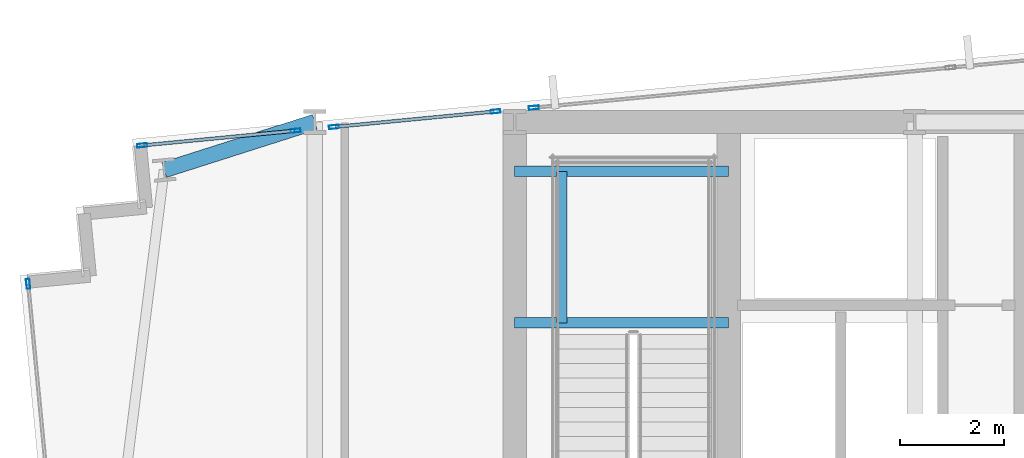
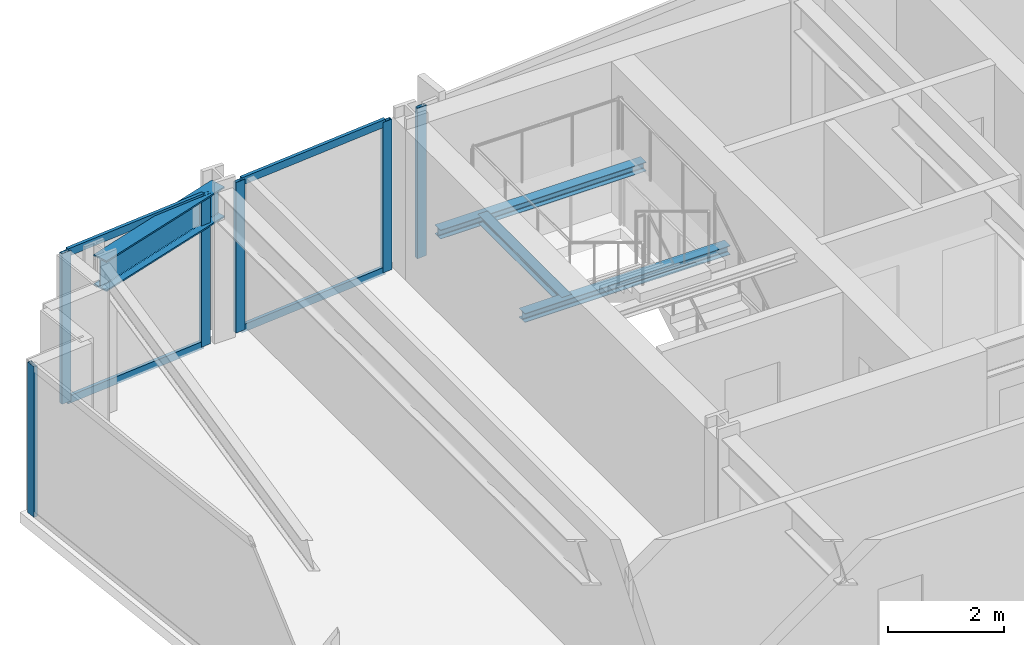
# One storey, part 17 of 32: 10 members, 4 beams, 4 elements without a shape of their own.
"""IFC4 building model written with IfcOpenShell, lengths in metres."""

from ifc_helpers import new_model, si_unit, direction, frame, origin, origin_2d, place, context, subcontext, project, spatial, hollow_rectangle, i_section, extrude, material, material_profile, profile_set, type_object, element, aggregate, save


model = new_model("IFC4")

# Units and contexts
model_context = context("Model", 3, precision=1e-05, world=origin(), true_north=direction((0.0, 1.0)))
body_context = subcontext(model_context, "Body", "Model", "MODEL_VIEW")
ifc_project = project(units=[si_unit("LENGTHUNIT", "METRE"), si_unit("AREAUNIT", "SQUARE_METRE"), si_unit("VOLUMEUNIT", "CUBIC_METRE"), si_unit("PLANEANGLEUNIT", "RADIAN"), si_unit("MASSUNIT", "GRAM", prefix="KILO")], contexts=[model_context])

# Site, building, storey
site_placement = place(None, origin())
site = spatial("IfcSite", under=ifc_project, at=site_placement, CompositionType="ELEMENT")
building_placement = place(site_placement, origin())
building = spatial("IfcBuilding", under=site, at=building_placement, Name="Yelkora Congress Tower", CompositionType="ELEMENT")
storey_placement = place(building_placement, frame((0.0, 0.0, 113.5)))
storey = spatial("IfcBuildingStorey", under=building, at=storey_placement, Name="L30", CompositionType="ELEMENT", Elevation=113.5)

# Beams
ifc_material_1 = material(Name="Steel S355J2", Category="steel")
ifc_material_profile_1 = material_profile(ifc_material_1, i_section(OverallWidth=0.300048828125, OverallDepth=0.64990234375, WebThickness=0.01611328125, FlangeThickness=0.031005859375, FilletRadius=0.027099609375, at=origin_2d()), Name="HEB 650")
ifc_profile_set_1 = profile_set([ifc_material_profile_1], Name="Steel S355J2")
beam_type_1 = type_object("IfcBeamType", Name="BM-GIRD-HEB650", PredefinedType="BEAM", material=ifc_profile_set_1)
beam_1_placement = place(storey_placement, frame((16.306884765625, 45.27734375, 2.85498046875), z_axis=(0.952727067409, 0.303827475759, 0.0), x_axis=(-0.303827475759, 0.952727067409, 0.0)))
element("IfcBeam", 1, at=beam_1_placement, inside=storey, type_object=beam_type_1, Name="L30 Primary Frame Girder N01", PredefinedType="BEAM", context=body_context, shape_type="SweptSolid", body=[
    extrude(i_section(OverallWidth=0.300048828125, OverallDepth=0.64990234375, WebThickness=0.01611328125, FlangeThickness=0.031005859375, FilletRadius=0.027099609375, at=origin_2d()), origin(), (0.0, 0.0, 1.0), 3.03662109375),
])
ifc_material_profile_2 = material_profile(ifc_material_1, i_section(OverallWidth=0.199951171875, OverallDepth=0.18994140625, WebThickness=0.006591796875, FlangeThickness=0.010009765625, FilletRadius=0.01806640625, at=origin_2d()), Name="HEA 200")
ifc_profile_set_2 = profile_set([ifc_material_profile_2], Name="Steel S355J2")
beam_type_2 = type_object("IfcBeamType", Name="BM-LAND-HEA200", PredefinedType="BEAM", material=ifc_profile_set_2)
for number, where, z_axis, x_axis, name in (
    (2, (23.0400390625, 42.340087890625, 1.384521484375), (1.0, 0.0, 0.0), (0.0, 1.0, 0.0), "ST-01 L30 Landing Header Beam 1S"),
    (3, (23.0400390625, 45.25, 1.384521484375), (1.0, 0.0, 0.0), (0.0, 1.0, 0.0), "ST-01 L30 Landing Header Beam 1N"),
):
    element("IfcBeam", number, at=place(storey_placement, frame(where, z_axis=z_axis, x_axis=x_axis)), inside=storey, type_object=beam_type_2, Name=name, PredefinedType="BEAM", context=body_context, shape_type="SweptSolid", body=[
        extrude(i_section(OverallWidth=0.199951171875, OverallDepth=0.18994140625, WebThickness=0.006591796875, FlangeThickness=0.010009765625, FilletRadius=0.01806640625, at=origin_2d()), origin(), (0.0, 0.0, 1.0), 4.10986328125),
    ])
beam_2_placement = place(storey_placement, frame((23.93994140625, 42.340087890625, 1.384521484375), z_axis=(0.0, 1.0, 0.0), x_axis=(-1.0, 0.0, 0.0)))
element("IfcBeam", 4, at=beam_2_placement, inside=storey, type_object=beam_type_2, Name="ST-01 L30 Landing Trimmer Beam 1M", PredefinedType="BEAM", context=body_context, shape_type="SweptSolid", body=[
    extrude(i_section(OverallWidth=0.199951171875, OverallDepth=0.18994140625, WebThickness=0.006591796875, FlangeThickness=0.010009765625, FilletRadius=0.01806640625, at=origin_2d()), origin(), (0.0, 0.0, 1.0), 2.909912109375),
])

# Curtain wall, member
ifc_material_2 = material(Name="Anodised aluminium and insulated glass", Category="aluminium")
curtain_wall_type = type_object("IfcCurtainWallType", Name="CW-SYS-B2", PredefinedType="NOTDEFINED", material=ifc_material_2)
curtain_wall_1_placement = place(storey_placement, origin())
curtain_wall_1 = element("IfcCurtainWall", 5, at=curtain_wall_1_placement, inside=storey, type_object=curtain_wall_type, Name="L30 Unitised Curtain Wall 5", PredefinedType="NOTDEFINED")
ifc_material_3 = material(Name="Anodised aluminium 6063-T6", Category="aluminium")
ifc_material_profile_3 = material_profile(ifc_material_3, hollow_rectangle(XDim=0.070068359375, YDim=0.18994140625, WallThickness=0.00390625, at=origin_2d()), Name="ALU 70x190x4")
ifc_profile_set_3 = profile_set([ifc_material_profile_3], Name="Anodised aluminium 6063-T6")
member_type_1 = type_object("IfcMemberType", Name="MEM-ML-B2", PredefinedType="MULLION", material=ifc_profile_set_3)
member_1_placement = place(storey_placement, frame((13.6943359375, 43.091796875, 0.0), z_axis=(0.0, 0.0, 1.0), x_axis=(-0.995396507508, -0.095842541913, 0.0)))
member_1 = element("IfcMember", 6, at=member_1_placement, type_object=member_type_1, Name="CW-B2 mullion 5", PredefinedType="MULLION", context=body_context, shape_type="SweptSolid", body=[
    extrude(hollow_rectangle(XDim=0.070068359375, YDim=0.18994140625, WallThickness=0.00390625, at=origin_2d()), origin(), (0.0, 0.0, 1.0), 3.179931640625),
])
aggregate(curtain_wall_1, [member_1])

# Curtain wall, members
curtain_wall_2_placement = place(storey_placement, origin())
curtain_wall_2 = element("IfcCurtainWall", 7, at=curtain_wall_2_placement, inside=storey, type_object=curtain_wall_type, Name="L30 Unitised Curtain Wall 10 (1)", PredefinedType="NOTDEFINED")
member_2_placement = place(storey_placement, frame((15.884521484375, 45.7490234375, 0.0), z_axis=(0.0, 0.0, 1.0), x_axis=(-0.095839346142, 0.99539681521, 0.0)))
member_2 = element("IfcMember", 8, at=member_2_placement, type_object=member_type_1, Name="CW-B2 mullion 1", PredefinedType="MULLION", context=body_context, shape_type="SweptSolid", body=[
    extrude(hollow_rectangle(XDim=0.070068359375, YDim=0.18994140625, WallThickness=0.00390625, at=origin_2d()), origin(), (0.0, 0.0, 1.0), 3.179931640625),
])
member_3_placement = place(storey_placement, frame((18.833251953125, 46.032958984375, 0.0), z_axis=(0.0, 0.0, 1.0), x_axis=(-0.095839346142, 0.99539681521, 0.0)))
member_3 = element("IfcMember", 9, at=member_3_placement, type_object=member_type_1, Name="CW-B2 mullion 2", PredefinedType="MULLION", context=body_context, shape_type="SweptSolid", body=[
    extrude(hollow_rectangle(XDim=0.070068359375, YDim=0.18994140625, WallThickness=0.00390625, at=origin_2d()), origin(), (0.0, 0.0, 1.0), 3.179931640625),
])

curtain_wall_3_placement = place(storey_placement, origin())
curtain_wall_3 = element("IfcCurtainWall", 10, at=curtain_wall_3_placement, inside=storey, type_object=curtain_wall_type, Name="L30 Unitised Curtain Wall 10 (2)", PredefinedType="NOTDEFINED")
member_4_placement = place(storey_placement, frame((19.56689453125, 46.103515625, 0.0), z_axis=(0.0, 0.0, 1.0), x_axis=(-0.095841399764, 0.99539661748, 0.0)))
member_4 = element("IfcMember", 11, at=member_4_placement, type_object=member_type_1, Name="CW-B2 mullion 1", PredefinedType="MULLION", context=body_context, shape_type="SweptSolid", body=[
    extrude(hollow_rectangle(XDim=0.070068359375, YDim=0.18994140625, WallThickness=0.00390625, at=origin_2d()), origin(), (0.0, 0.0, 1.0), 3.179931640625),
])
member_5_placement = place(storey_placement, frame((22.673095703125, 46.402587890625, 0.0), z_axis=(0.0, 0.0, 1.0), x_axis=(-0.095841399764, 0.99539661748, 0.0)))
member_5 = element("IfcMember", 12, at=member_5_placement, type_object=member_type_1, Name="CW-B2 mullion 2", PredefinedType="MULLION", context=body_context, shape_type="SweptSolid", body=[
    extrude(hollow_rectangle(XDim=0.070068359375, YDim=0.18994140625, WallThickness=0.00390625, at=origin_2d()), origin(), (0.0, 0.0, 1.0), 3.179931640625),
])

# Curtain wall, member
curtain_wall_4_placement = place(storey_placement, origin())
curtain_wall_4 = element("IfcCurtainWall", 13, at=curtain_wall_4_placement, inside=storey, type_object=curtain_wall_type, Name="L30 Unitised Curtain Wall 10 (3)", PredefinedType="NOTDEFINED")
member_6_placement = place(storey_placement, frame((23.40673828125, 46.473388671875, 0.0), z_axis=(0.0, 0.0, 1.0), x_axis=(-0.095844238468, 0.995396344153, 0.0)))
member_6 = element("IfcMember", 14, at=member_6_placement, type_object=member_type_1, Name="CW-B2 mullion 1", PredefinedType="MULLION", context=body_context, shape_type="SweptSolid", body=[
    extrude(hollow_rectangle(XDim=0.070068359375, YDim=0.18994140625, WallThickness=0.00390625, at=origin_2d()), origin(), (0.0, 0.0, 1.0), 3.179931640625),
])
aggregate(curtain_wall_4, [member_6])

# Member
ifc_material_profile_4 = material_profile(ifc_material_3, hollow_rectangle(XDim=0.06494140625, YDim=0.159912109375, WallThickness=0.00390625, at=origin_2d()), Name="ALU 65x160x4")
ifc_profile_set_4 = profile_set([ifc_material_profile_4], Name="Anodised aluminium 6063-T6")
member_type_2 = type_object("IfcMemberType", Name="MEM-TR-B2", PredefinedType="USERDEFINED", material=ifc_profile_set_4)
member_7_placement = place(storey_placement, frame((15.91943359375, 45.75244140625, 0.032470703125), z_axis=(0.995399744854, 0.095808913705, 0.0), x_axis=(-0.095808913705, 0.995399744854, 0.0)))
member_7 = element("IfcMember", 15, at=member_7_placement, type_object=member_type_2, Name="CW-B2 transom 1.1", ObjectType="TRANSOM", PredefinedType="USERDEFINED", context=body_context, shape_type="SweptSolid", body=[
    extrude(hollow_rectangle(XDim=0.06494140625, YDim=0.159912109375, WallThickness=0.00390625, at=origin_2d()), origin(), (0.0, 0.0, 1.0), 2.89208984375),
])

member_8_placement = place(storey_placement, frame((15.91943359375, 45.75244140625, 3.1474609375), z_axis=(0.995399744854, 0.095808913705, 0.0), x_axis=(-0.095808913705, 0.995399744854, 0.0)))
member_8 = element("IfcMember", 16, at=member_8_placement, type_object=member_type_2, Name="CW-B2 transom 1.2", ObjectType="TRANSOM", PredefinedType="USERDEFINED", context=body_context, shape_type="SweptSolid", body=[
    extrude(hollow_rectangle(XDim=0.06494140625, YDim=0.159912109375, WallThickness=0.00390625, at=origin_2d()), origin(), (0.0, 0.0, 1.0), 2.89208984375),
])

aggregate(curtain_wall_2, [member_2, member_3, member_7, member_8])

member_9_placement = place(storey_placement, frame((19.6015625, 46.10693359375, 0.032470703125), z_axis=(0.995401842144, 0.095787121557, 0.0), x_axis=(-0.095787121557, 0.995401842144, 0.0)))
member_9 = element("IfcMember", 17, at=member_9_placement, type_object=member_type_2, Name="CW-B2 transom 1.1", ObjectType="TRANSOM", PredefinedType="USERDEFINED", context=body_context, shape_type="SweptSolid", body=[
    extrude(hollow_rectangle(XDim=0.06494140625, YDim=0.159912109375, WallThickness=0.00390625, at=origin_2d()), origin(), (0.0, 0.0, 1.0), 3.05078125),
])

member_10_placement = place(storey_placement, frame((19.6015625, 46.10693359375, 3.1474609375), z_axis=(0.995401842144, 0.095787121557, 0.0), x_axis=(-0.095787121557, 0.995401842144, 0.0)))
member_10 = element("IfcMember", 18, at=member_10_placement, type_object=member_type_2, Name="CW-B2 transom 1.2", ObjectType="TRANSOM", PredefinedType="USERDEFINED", context=body_context, shape_type="SweptSolid", body=[
    extrude(hollow_rectangle(XDim=0.06494140625, YDim=0.159912109375, WallThickness=0.00390625, at=origin_2d()), origin(), (0.0, 0.0, 1.0), 3.05078125),
])

aggregate(curtain_wall_3, [member_4, member_5, member_9, member_10])

save(model, "model.ifc")
